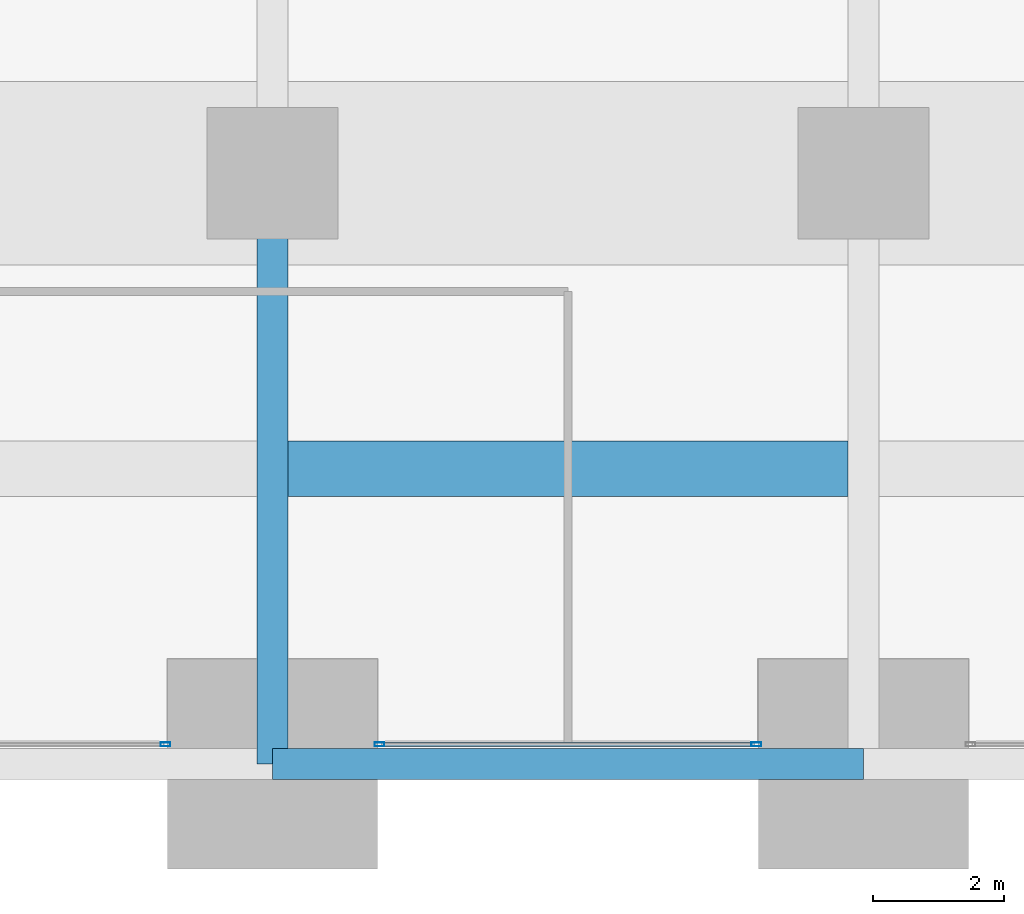
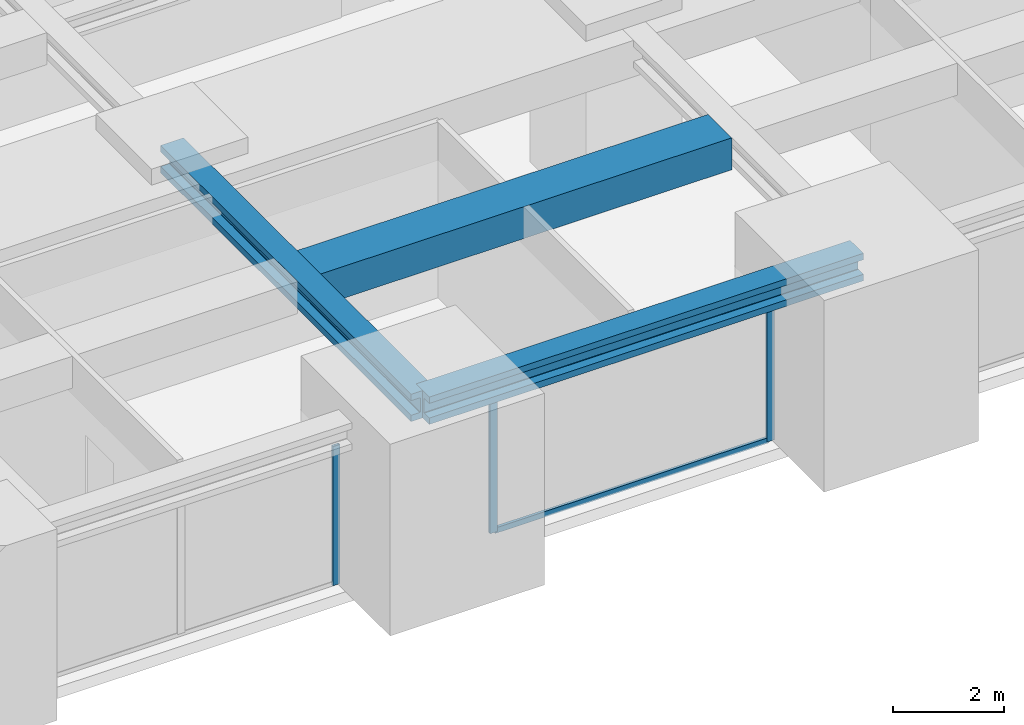
# One storey, part 7 of 45: 4 members, 3 beams, 2 elements without a shape of their own.
"""IFC4 building model written with IfcOpenShell, lengths in metres."""

from ifc_helpers import new_model, si_unit, direction, frame, origin, origin_2d, place, context, subcontext, project, spatial, rectangle, hollow_rectangle, i_section, extrude, material, material_profile, profile_set, type_object, element, aggregate, save


model = new_model("IFC4")

# Units and contexts
model_context = context("Model", 3, precision=1e-05, world=origin(), true_north=direction((0.0, 1.0)))
body_context = subcontext(model_context, "Body", "Model", "MODEL_VIEW")
ifc_project = project(units=[si_unit("LENGTHUNIT", "METRE"), si_unit("AREAUNIT", "SQUARE_METRE"), si_unit("VOLUMEUNIT", "CUBIC_METRE"), si_unit("PLANEANGLEUNIT", "RADIAN"), si_unit("MASSUNIT", "GRAM", prefix="KILO")], contexts=[model_context])

# Site, building, storey
site_placement = place(None, origin())
site = spatial("IfcSite", under=ifc_project, at=site_placement, CompositionType="ELEMENT")
building_placement = place(site_placement, origin())
building = spatial("IfcBuilding", under=site, at=building_placement, Name="Zorevar Civic Tower", CompositionType="ELEMENT")
storey_placement = place(building_placement, frame((0.0, 0.0, 153.0)))
storey = spatial("IfcBuildingStorey", under=building, at=storey_placement, Name="L37", CompositionType="ELEMENT", Elevation=153.0)

# Beams
ifc_material_1 = material(Name="Concrete C50/60", Category="concrete")
ifc_material_profile_1 = material_profile(ifc_material_1, rectangle(XDim=0.85009765625, YDim=0.699951171875, at=origin_2d()), Name="RC 850x700")
ifc_profile_set_1 = profile_set([ifc_material_profile_1], Name="Concrete C50/60")
beam_type_1 = type_object("IfcBeamType", Name="Beam RC 850x700", PredefinedType="BEAM", material=ifc_profile_set_1)
beam_1_placement = place(storey_placement, frame((18.238037109375, 4.5, 3.5), z_axis=(1.0, 0.0, 0.0), x_axis=(0.0, 1.0, 0.0)))
element("IfcBeam", 1, at=beam_1_placement, inside=storey, type_object=beam_type_1, Name="Secondary beam L38", PredefinedType="BEAM", context=body_context, shape_type="SweptSolid", body=[
    extrude(rectangle(XDim=0.85009765625, YDim=0.699951171875, at=origin_2d()), origin(), (0.0, 0.0, 1.0), 8.52392578125),
])
ifc_material_2 = material(Name="Steel S460M (HISTAR 460)", Category="steel")
ifc_material_profile_2 = material_profile(ifc_material_2, i_section(OverallWidth=0.47607421875, OverallDepth=0.60009765625, WebThickness=0.10009765625, FlangeThickness=0.139892578125, FilletRadius=0.014892578125, at=origin_2d()), Name="HD 400x1299")
ifc_profile_set_2 = profile_set([ifc_material_profile_2], Name="Steel S460M (HISTAR 460)")
beam_type_2 = type_object("IfcBeamType", Name="Belt chord HD 400x1299", PredefinedType="BEAM", material=ifc_profile_set_2)
beam_2_placement = place(storey_placement, frame((18.0, 0.0, 3.550048828125), z_axis=(1.0, 0.0, 0.0), x_axis=(0.0, 1.0, 0.0)))
element("IfcBeam", 2, at=beam_2_placement, inside=storey, type_object=beam_type_2, Name="Belt chord L38", PredefinedType="BEAM", context=body_context, shape_type="SweptSolid", body=[
    extrude(i_section(OverallWidth=0.47607421875, OverallDepth=0.60009765625, WebThickness=0.10009765625, FlangeThickness=0.139892578125, FilletRadius=0.014892578125, at=origin_2d()), origin(), (0.0, 0.0, 1.0), 9.0),
])

# Curtain wall, member
ifc_material_3 = material(Name="Dark grey solar-control glass in black aluminium frame", Category="aluminium")
curtain_wall_type = type_object("IfcCurtainWallType", Name="Curtain wall CW3 mid zone", PredefinedType="NOTDEFINED", material=ifc_material_3)
curtain_wall_1_placement = place(storey_placement, origin())
curtain_wall_1 = element("IfcCurtainWall", 3, at=curtain_wall_1_placement, inside=storey, type_object=curtain_wall_type, Name="CW3 L37", PredefinedType="NOTDEFINED")
ifc_material_4 = material(Name="Aluminium, black anodised", Category="aluminium")
ifc_material_profile_3 = material_profile(ifc_material_4, hollow_rectangle(XDim=0.06005859375, YDim=0.14990234375, WallThickness=0.00390625, at=origin_2d()), Name="AL 150x60x4")
ifc_profile_set_3 = profile_set([ifc_material_profile_3], Name="Aluminium, black anodised")
member_type_1 = type_object("IfcMemberType", Name="CW3 mullion AL 150x60x4", PredefinedType="MULLION", material=ifc_profile_set_3)
member_1_placement = place(storey_placement, frame((16.3701171875, 0.300048828125, 0.0), z_axis=(0.0, 0.0, 1.0), x_axis=(0.0, 1.0, 0.0)))
member_1 = element("IfcMember", 4, at=member_1_placement, type_object=member_type_1, Name="CW3 mullion 3", PredefinedType="MULLION", context=body_context, shape_type="SweptSolid", body=[
    extrude(hollow_rectangle(XDim=0.06005859375, YDim=0.14990234375, WallThickness=0.00390625, at=origin_2d()), origin(), (0.0, 0.0, 1.0), 3.050048828125),
])
aggregate(curtain_wall_1, [member_1])

# Curtain wall, members
curtain_wall_2_placement = place(storey_placement, origin())
curtain_wall_2 = element("IfcCurtainWall", 5, at=curtain_wall_2_placement, inside=storey, type_object=curtain_wall_type, Name="CW3 L37", PredefinedType="NOTDEFINED")
member_2_placement = place(storey_placement, frame((19.6298828125, 0.300048828125, 0.0), z_axis=(0.0, 0.0, 1.0), x_axis=(0.0, 1.0, 0.0)))
member_2 = element("IfcMember", 6, at=member_2_placement, type_object=member_type_1, Name="CW3 mullion 1", PredefinedType="MULLION", context=body_context, shape_type="SweptSolid", body=[
    extrude(hollow_rectangle(XDim=0.06005859375, YDim=0.14990234375, WallThickness=0.00390625, at=origin_2d()), origin(), (0.0, 0.0, 1.0), 3.050048828125),
])
member_3_placement = place(storey_placement, frame((25.3701171875, 0.300048828125, 0.0), z_axis=(0.0, 0.0, 1.0), x_axis=(0.0, 1.0, 0.0)))
member_3 = element("IfcMember", 7, at=member_3_placement, type_object=member_type_1, Name="CW3 mullion 2", PredefinedType="MULLION", context=body_context, shape_type="SweptSolid", body=[
    extrude(hollow_rectangle(XDim=0.06005859375, YDim=0.14990234375, WallThickness=0.00390625, at=origin_2d()), origin(), (0.0, 0.0, 1.0), 3.050048828125),
])
ifc_material_5 = material(Name="Aluminium, black anodised", Category="aluminium")
ifc_material_profile_4 = material_profile(ifc_material_5, hollow_rectangle(XDim=0.06005859375, YDim=0.1201171875, WallThickness=0.0029296875, at=origin_2d()), Name="AL 120x60x3")
ifc_profile_set_4 = profile_set([ifc_material_profile_4], Name="Aluminium, black anodised")
member_type_2 = type_object("IfcMemberType", Name="CW3 transom AL 120x60x3", PredefinedType="USERDEFINED", material=ifc_profile_set_4)
member_4_placement = place(storey_placement, frame((19.659912109375, 0.300048828125, 0.030029296875), z_axis=(1.0, 0.0, 0.0), x_axis=(0.0, 1.0, 0.0)))
member_4 = element("IfcMember", 8, at=member_4_placement, type_object=member_type_2, Name="CW3 sill transom", ObjectType="TRANSOM", PredefinedType="USERDEFINED", context=body_context, shape_type="SweptSolid", body=[
    extrude(hollow_rectangle(XDim=0.06005859375, YDim=0.1201171875, WallThickness=0.0029296875, at=origin_2d()), origin(), (0.0, 0.0, 1.0), 5.68017578125),
])
aggregate(curtain_wall_2, [member_2, member_3, member_4])

# Beam
ifc_material_6 = material(Name="Steel S460M (HISTAR 460)", Category="steel")
ifc_material_profile_5 = material_profile(ifc_material_6, i_section(OverallWidth=0.47607421875, OverallDepth=0.60009765625, WebThickness=0.10009765625, FlangeThickness=0.139892578125, FilletRadius=0.014892578125, at=origin_2d()), Name="HD 400x1299")
ifc_profile_set_5 = profile_set([ifc_material_profile_5], Name="Steel S460M (HISTAR 460)")
beam_type_3 = type_object("IfcBeamType", Name="Outrigger chord HD 400x1299", PredefinedType="BEAM", material=ifc_profile_set_5)
beam_3_placement = place(storey_placement, frame((18.0, 0.0, 3.550048828125), z_axis=(0.0, 1.0, 0.0), x_axis=(-1.0, 0.0, 0.0)))
element("IfcBeam", 9, at=beam_3_placement, inside=storey, type_object=beam_type_3, Name="Outrigger chord L38", PredefinedType="BEAM", context=body_context, shape_type="SweptSolid", body=[
    extrude(i_section(OverallWidth=0.47607421875, OverallDepth=0.60009765625, WebThickness=0.10009765625, FlangeThickness=0.139892578125, FilletRadius=0.014892578125, at=origin_2d()), origin(), (0.0, 0.0, 1.0), 9.0),
])

save(model, "model.ifc")
